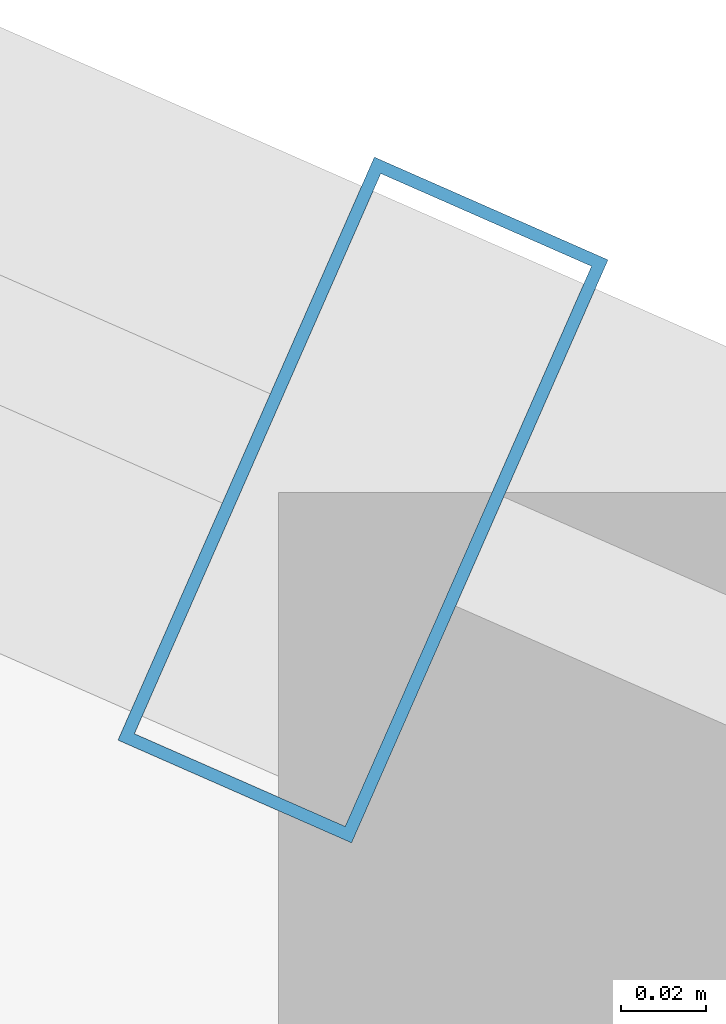
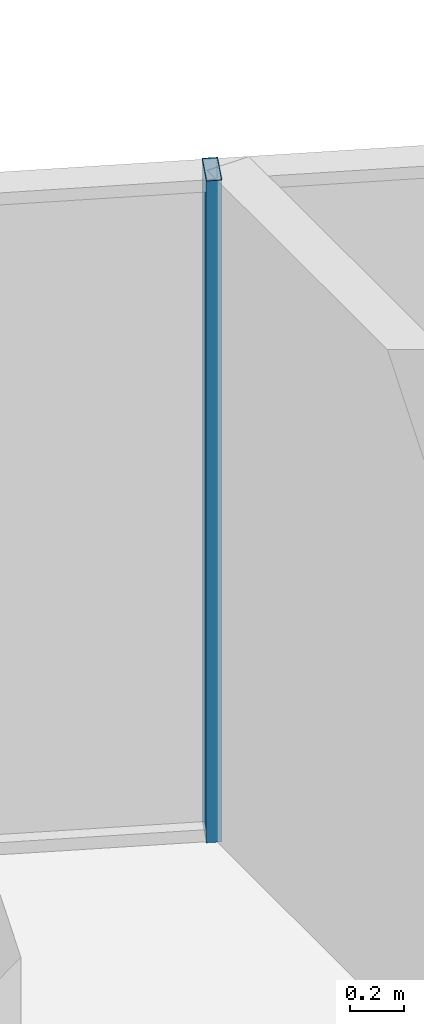
# One storey, part 24 of 32: 1 member, 1 element without a shape of its own.
"""IFC4 building model written with IfcOpenShell, lengths in metres."""

from ifc_helpers import new_model, si_unit, direction, frame, origin, origin_2d, place, context, subcontext, project, spatial, hollow_rectangle, extrude, source, transform, mapped, material, layer, layer_set, material_profile, profile_set, type_object, element, aggregate, save


model = new_model("IFC4")

# Units and contexts
model_context = context("Model", 3, precision=1e-05, world=origin(), true_north=direction((0.0, 1.0)))
body_context = subcontext(model_context, "Body", "Model", "MODEL_VIEW")
ifc_project = project(units=[si_unit("LENGTHUNIT", "METRE"), si_unit("AREAUNIT", "SQUARE_METRE"), si_unit("VOLUMEUNIT", "CUBIC_METRE"), si_unit("PLANEANGLEUNIT", "RADIAN"), si_unit("MASSUNIT", "GRAM", prefix="KILO")], contexts=[model_context])

# Site, building, storey
site_placement = place(None, origin())
site = spatial("IfcSite", under=ifc_project, at=site_placement, CompositionType="ELEMENT")
building_placement = place(site_placement, origin())
building = spatial("IfcBuilding", under=site, at=building_placement, Name="Veraguas Prism Commons", CompositionType="ELEMENT")
storey_placement = place(building_placement, frame((0.0, 0.0, 185.35009765625)))
storey = spatial("IfcBuildingStorey", under=building, at=storey_placement, Name="L52", CompositionType="ELEMENT", Elevation=185.35009765625)

# Curtain wall, member
ifc_material = material(Name="Anodised aluminium EN AW-6063 T6", Category="aluminium")
ifc_layer = layer(ifc_material, 0.14990234375, Name="Unitised Flush Curtain Wall Zone 3", Category="aluminium")
ifc_layer_set = layer_set([ifc_layer], Name="Anodised aluminium EN AW-6063 T6")
curtain_wall_type = type_object("IfcCurtainWallType", Name="Unitised Flush Curtain Wall Zone 3", PredefinedType="NOTDEFINED", material=ifc_layer_set)
curtain_wall_placement = place(storey_placement, origin())
curtain_wall = element("IfcCurtainWall", 1, at=curtain_wall_placement, inside=storey, type_object=curtain_wall_type, Name="Tower Facade Curtain Wall L52-F1", PredefinedType="NOTDEFINED")
ifc_material_profile = material_profile(ifc_material, hollow_rectangle(XDim=0.06005859375, YDim=0.14990234375, WallThickness=0.0029296875, at=origin_2d()), Name="AL60X150X3")
ifc_profile_set = profile_set([ifc_material_profile], Name="Anodised aluminium EN AW-6063 T6")
member_type = type_object("IfcMemberType", Name="Curtain Wall Mullion Upper AL 60x150x3", PredefinedType="MULLION", material=ifc_profile_set)
shared_shape = source(origin(), body_context, "Body", "SweptSolid", [
    extrude(hollow_rectangle(XDim=0.06005859375, YDim=0.14990234375, WallThickness=0.0029296875, at=origin_2d()), origin(), (0.0, 0.0, 1.0), 3.014892578125),
])
member_placement = place(storey_placement, frame((31.1298828125, 40.211669921875, 0.0), z_axis=(0.0, 0.0, 1.0), x_axis=(-0.915384568301, 0.402580541155, 0.0)))
member = element("IfcMember", 2, at=member_placement, type_object=member_type, Name="CW-Z3 Mullion 3", PredefinedType="MULLION", context=body_context, shape_type="MappedRepresentation", body=[
    mapped(shared_shape, transform((0.0, 0.0, 0.0), scale=1.0)),
])
aggregate(curtain_wall, [member])

save(model, "model.ifc")
